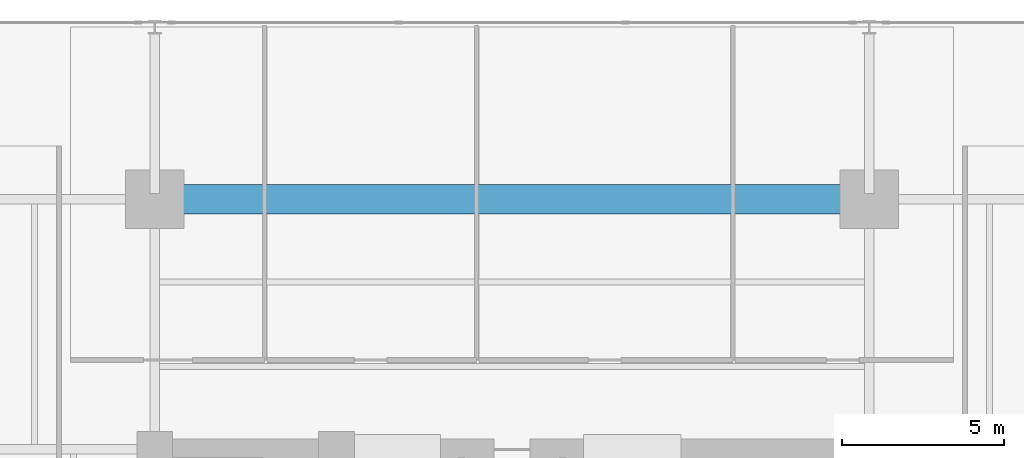
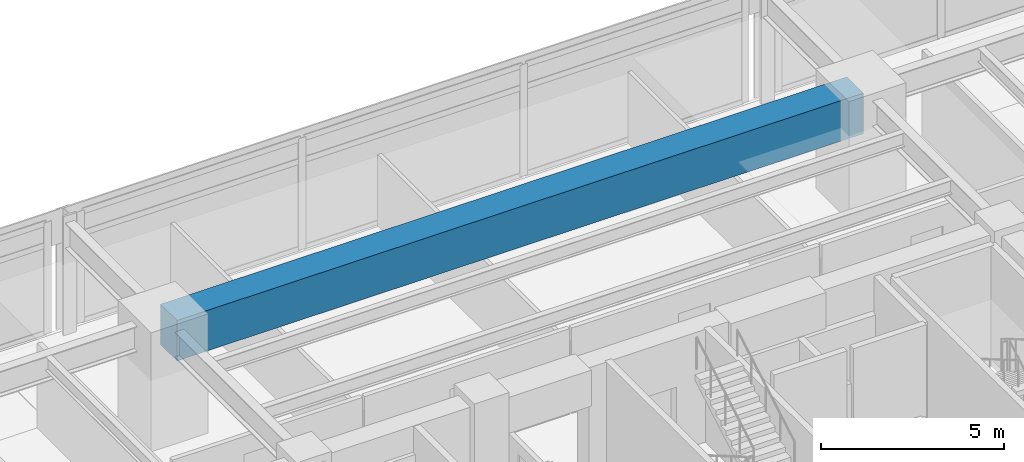
# One storey, part 9 of 22: 1 beam.
"""IFC4 building model written with IfcOpenShell, lengths in metres."""

from ifc_helpers import new_model, si_unit, direction, frame, origin, origin_2d, place, context, subcontext, project, spatial, rectangle, extrude, material, material_profile, profile_set, type_object, element, save


model = new_model("IFC4")

# Units and contexts
model_context = context("Model", 3, precision=1e-05, world=origin(), true_north=direction((0.0, 1.0)))
body_context = subcontext(model_context, "Body", "Model", "MODEL_VIEW")
ifc_project = project(units=[si_unit("LENGTHUNIT", "METRE"), si_unit("AREAUNIT", "SQUARE_METRE"), si_unit("VOLUMEUNIT", "CUBIC_METRE"), si_unit("PLANEANGLEUNIT", "RADIAN"), si_unit("MASSUNIT", "GRAM", prefix="KILO")], contexts=[model_context])

# Site, building, storey
site_placement = place(None, origin())
site = spatial("IfcSite", under=ifc_project, at=site_placement, CompositionType="ELEMENT")
building_placement = place(site_placement, origin())
building = spatial("IfcBuilding", under=site, at=building_placement, Name="Kovane Verandah Tower", CompositionType="ELEMENT")
storey_placement = place(building_placement, frame((0.0, 0.0, 51.60009765625)))
storey = spatial("IfcBuildingStorey", under=building, at=storey_placement, Name="L11", CompositionType="ELEMENT", Elevation=51.60009765625)

# Beam
ifc_material = material(Name="Concrete C80/95", Category="concrete")
ifc_material_profile = material_profile(ifc_material, rectangle(XDim=0.89990234375, YDim=1.35009765625, at=origin_2d()), Name="RCB900x1350")
ifc_profile_set = profile_set([ifc_material_profile], Name="Concrete C80/95")
beam_type = type_object("IfcBeamType", Name="BM-TR-900x1350", PredefinedType="BEAM", material=ifc_profile_set)
beam_placement = place(storey_placement, frame((29.179931640625, 44.199951171875, 3.0849609375), z_axis=(1.0, 0.0, 0.0), x_axis=(0.0, 1.0, 0.0)))
element("IfcBeam", 1, at=beam_placement, inside=storey, type_object=beam_type, Name="L11 Primary Tower Girder G-RN2", PredefinedType="BEAM", context=body_context, shape_type="SweptSolid", body=[
    extrude(rectangle(XDim=0.89990234375, YDim=1.35009765625, at=origin_2d()), origin(), (0.0, 0.0, 1.0), 21.64013671875),
])

save(model, "model.ifc")
